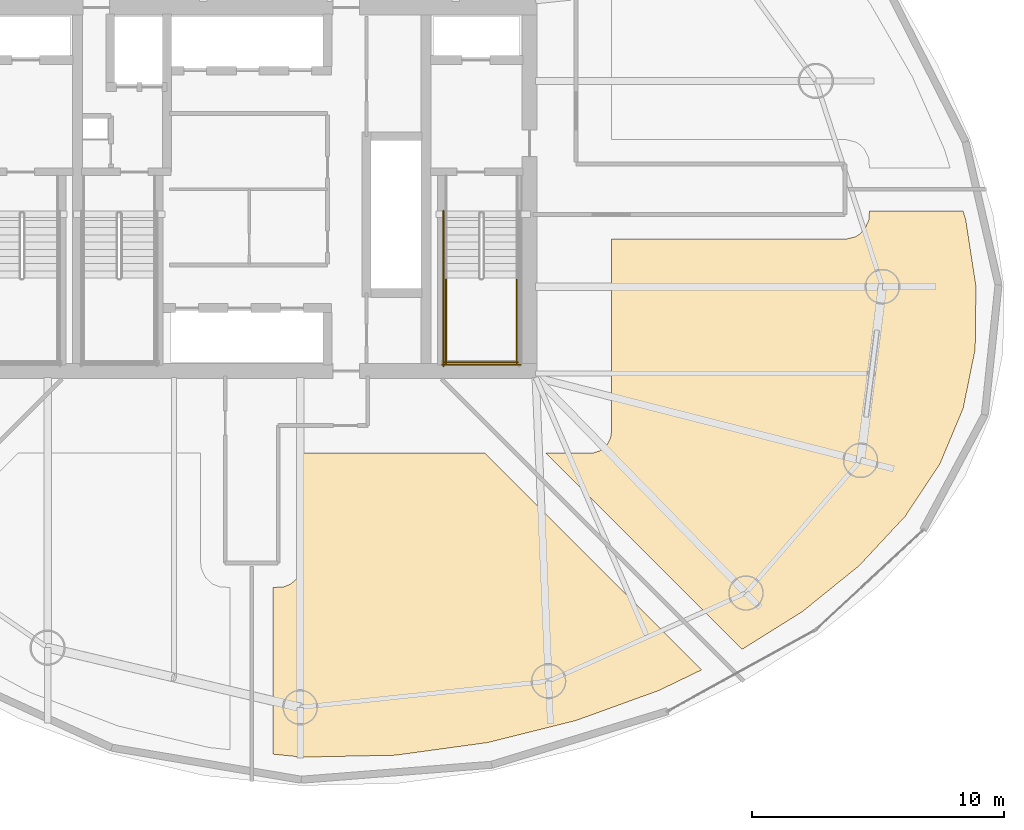
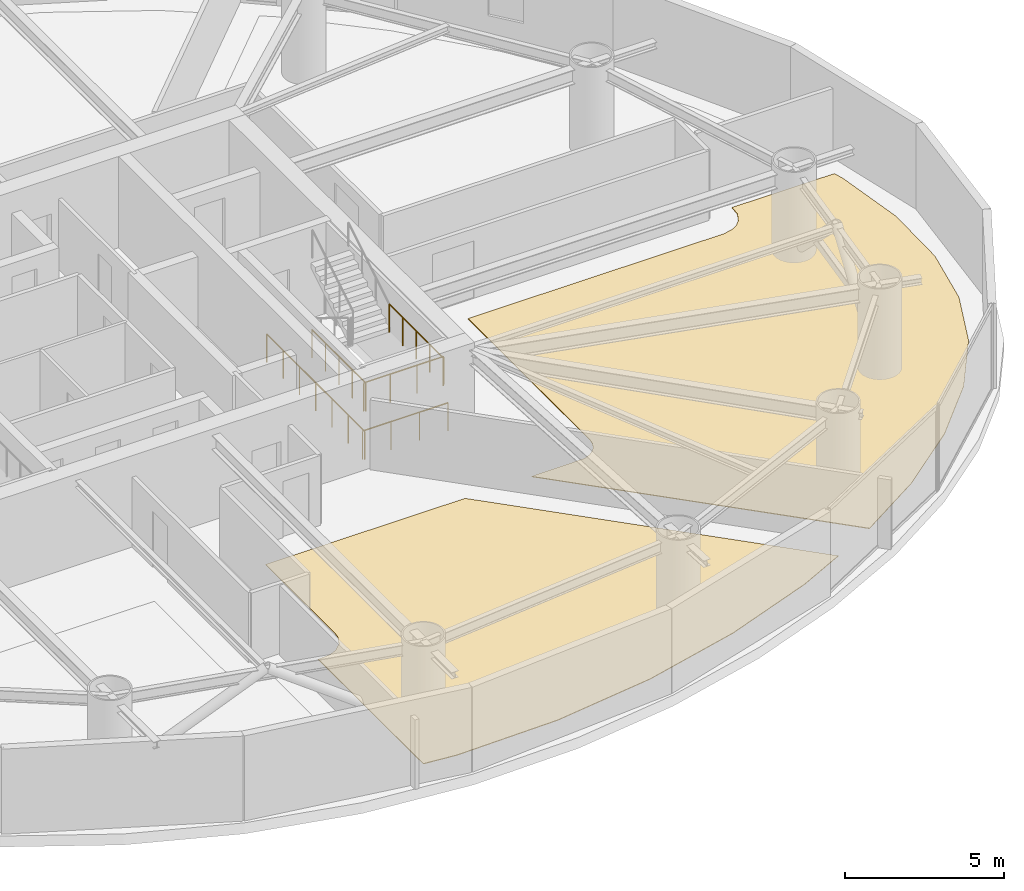
# One storey, part 19 of 21: 5 railings, 2 coverings.
"""IFC4 building model written with IfcOpenShell, lengths in metres."""

from ifc_helpers import new_model, si_unit, direction, frame, origin, origin_2d, place, context, subcontext, project, spatial, polyline, circle, outline, extrude, material, layer, layer_set, type_object, element, save


model = new_model("IFC4")

# Units and contexts
model_context = context("Model", 3, precision=1e-05, world=origin(), true_north=direction((0.0, 1.0)))
body_context = subcontext(model_context, "Body", "Model", "MODEL_VIEW")
ifc_project = project(units=[si_unit("LENGTHUNIT", "METRE"), si_unit("AREAUNIT", "SQUARE_METRE"), si_unit("VOLUMEUNIT", "CUBIC_METRE"), si_unit("PLANEANGLEUNIT", "RADIAN"), si_unit("MASSUNIT", "GRAM", prefix="KILO")], contexts=[model_context])

# Site, building, storey
site_placement = place(None, origin())
site = spatial("IfcSite", under=ifc_project, at=site_placement, CompositionType="ELEMENT")
building_placement = place(site_placement, origin())
building = spatial("IfcBuilding", under=site, at=building_placement, Name="Bramvorn Convention Spire", CompositionType="ELEMENT")
storey_placement = place(building_placement, frame((0.0, 0.0, 102.800048828125)))
storey = spatial("IfcBuildingStorey", under=building, at=storey_placement, Name="L24", CompositionType="ELEMENT", Elevation=102.800048828125)

# Coverings
ifc_material_1 = material(Name="Honed Dolomitic Limestone Terrazzo Flooring", Category="masonry")
ifc_layer = layer(ifc_material_1, 0.02490234375)
ifc_layer_set = layer_set([ifc_layer], Name="Honed Dolomitic Limestone Terrazzo Flooring - FLR-TERRAZZO-25")
covering_type = type_object("IfcCoveringType", Name="FLR-TERRAZZO-25", PredefinedType="FLOORING", material=ifc_layer_set)
covering_1_placement = place(storey_placement, origin())
element("IfcCovering", 1, at=covering_1_placement, inside=storey, type_object=covering_type, Name="L24 Sky-Lobby Seminar Suite 7 raised floor finish", PredefinedType="FLOORING", context=body_context, shape_type="SweptSolid", body=[
    extrude(outline(polyline([(54.135986328125, 6.15283203125), (55.82763671875, 6.97021484375), (47.247802734375, 15.550048828125), (40.02001953125, 15.550048828125), (40.02001953125, 11.199951171875), (39.9921875, 10.97021484375), (39.83251953125, 10.626953125), (39.5537109375, 10.37109375), (39.27978515625, 10.2578125), (38.85009765625, 10.22998046875), (38.85009765625, 3.628662109375), (40.00048828125, 3.510009765625), (43.699462890625, 3.5869140625), (47.339599609375, 4.086669921875), (50.843994140625, 4.960693359375), (54.135986328125, 6.15283203125)])), origin(), (0.0, 0.0, 1.0), 0.02490234375),
])
covering_2_placement = place(storey_placement, origin())
element("IfcCovering", 2, at=covering_2_placement, inside=storey, type_object=covering_type, Name="L24 Mid-Rise Reception & Transfer Lobby 8 raised floor finish", PredefinedType="FLOORING", context=body_context, shape_type="SweptSolid", body=[
    extrude(outline(polyline([(59.8037109375, 9.267578125), (62.064208984375, 11.093994140625), (63.889404296875, 13.05419921875), (65.26220703125, 15.132080078125), (66.1826171875, 17.329833984375), (66.65673828125, 19.6650390625), (66.689208984375, 22.155517578125), (66.281494140625, 24.802490234375), (66.176025390625, 25.14990234375), (62.469970703125, 25.14990234375), (62.439453125, 24.758544921875), (62.275390625, 24.41748046875), (62.08251953125, 24.224609375), (61.919921875, 24.125732421875), (61.553466796875, 24.031494140625), (52.25, 24.030029296875), (52.25, 16.39990234375), (52.21337890625, 16.1533203125), (52.106689453125, 15.927734375), (52.0009765625, 15.799072265625), (51.80078125, 15.650390625), (51.56591796875, 15.56640625), (49.652099609375, 15.550048828125), (57.422119140625, 7.77978515625), (59.8037109375, 9.267578125)])), origin(), (0.0, 0.0, 1.0), 0.02490234375),
])

# Railings
ifc_material_2 = material(Name="Painted Steel Balustrade & Guardrail", Category="steel")
railing_type = type_object("IfcRailingType", Name="RL-STAIR-GUARD-1100", PredefinedType="GUARDRAIL", material=ifc_material_2)
for number, where, name in (
    (3, (45.699951171875, 22.485107421875, 1.75), "L24 ST2 stair guard 3"),
    (4, (48.5, 22.485107421875, 1.75), "L24 ST2 stair guard 4"),
):
    element("IfcRailing", number, at=place(storey_placement, frame(where)), inside=storey, type_object=railing_type, Name=name, PredefinedType="GUARDRAIL", context=body_context, shape_type="SweptSolid", body=[
        extrude(circle(Radius=0.02392578125, at=origin_2d()), frame((0.0, 0.0, 1.076171875), z_axis=(0.0, -1.0, 0.0), x_axis=(1.0, 0.0, 0.0)), (0.0, 0.0, 1.0), 3.385009765625),
        extrude(circle(Radius=0.02099609375, at=origin_2d()), origin(), (0.0, 0.0, 1.0), 1.052001953125),
        extrude(circle(Radius=0.02099609375, at=origin_2d()), frame((0.0, -0.84619140625, 0.0)), (0.0, 0.0, 1.0), 1.052001953125),
        extrude(circle(Radius=0.02099609375, at=origin_2d()), frame((0.0, -1.6923828125, 0.0)), (0.0, 0.0, 1.0), 1.052001953125),
        extrude(circle(Radius=0.02099609375, at=origin_2d()), frame((0.0, -2.538818359375, 0.0)), (0.0, 0.0, 1.0), 1.052001953125),
        extrude(circle(Radius=0.02099609375, at=origin_2d()), frame((0.0, -3.385009765625, 0.0)), (0.0, 0.0, 1.0), 1.052001953125),
    ])
railing_1_placement = place(storey_placement, frame((45.64990234375, 19.14990234375, 1.75)))
element("IfcRailing", 5, at=railing_1_placement, inside=storey, type_object=railing_type, Name="L24 ST2 stair guard 5", PredefinedType="GUARDRAIL", context=body_context, shape_type="SweptSolid", body=[
    extrude(circle(Radius=0.02392578125, at=origin_2d()), frame((0.0, 0.0, 1.076171875), z_axis=(1.0, 0.0, 0.0), x_axis=(0.0, 1.0, 0.0)), (0.0, 0.0, 1.0), 2.900146484375),
    extrude(circle(Radius=0.02099609375, at=origin_2d()), origin(), (0.0, 0.0, 1.0), 1.052001953125),
    extrude(circle(Radius=0.02099609375, at=origin_2d()), frame((0.966796875, 0.0, 0.0)), (0.0, 0.0, 1.0), 1.052001953125),
    extrude(circle(Radius=0.02099609375, at=origin_2d()), frame((1.933349609375, 0.0, 0.0)), (0.0, 0.0, 1.0), 1.052001953125),
    extrude(circle(Radius=0.02099609375, at=origin_2d()), frame((2.900146484375, 0.0, 0.0)), (0.0, 0.0, 1.0), 1.052001953125),
])
railing_2_placement = place(storey_placement, frame((45.60009765625, 25.14990234375, 0.0)))
element("IfcRailing", 6, at=railing_2_placement, inside=storey, type_object=railing_type, Name="L24 ST2 stair guard 10", PredefinedType="GUARDRAIL", context=body_context, shape_type="SweptSolid", body=[
    extrude(circle(Radius=0.02392578125, at=origin_2d()), frame((0.0, 0.0, 1.076171875), z_axis=(0.0, -1.0, 0.0), x_axis=(1.0, 0.0, 0.0)), (0.0, 0.0, 1.0), 6.14990234375),
    extrude(circle(Radius=0.02099609375, at=origin_2d()), origin(), (0.0, 0.0, 1.0), 1.052001953125),
    extrude(circle(Radius=0.02099609375, at=origin_2d()), frame((0.0, -1.02490234375, 0.0)), (0.0, 0.0, 1.0), 1.052001953125),
    extrude(circle(Radius=0.02099609375, at=origin_2d()), frame((0.0, -2.050048828125, 0.0)), (0.0, 0.0, 1.0), 1.052001953125),
    extrude(circle(Radius=0.02099609375, at=origin_2d()), frame((0.0, -3.074951171875, 0.0)), (0.0, 0.0, 1.0), 1.052001953125),
    extrude(circle(Radius=0.02099609375, at=origin_2d()), frame((0.0, -4.099853515625, 0.0)), (0.0, 0.0, 1.0), 1.052001953125),
    extrude(circle(Radius=0.02099609375, at=origin_2d()), frame((0.0, -5.125, 0.0)), (0.0, 0.0, 1.0), 1.052001953125),
    extrude(circle(Radius=0.02099609375, at=origin_2d()), frame((0.0, -6.14990234375, 0.0)), (0.0, 0.0, 1.0), 1.052001953125),
])
railing_3_placement = place(storey_placement, frame((45.550048828125, 19.050048828125, 0.0)))
element("IfcRailing", 7, at=railing_3_placement, inside=storey, type_object=railing_type, Name="L24 ST2 stair guard 12", PredefinedType="GUARDRAIL", context=body_context, shape_type="SweptSolid", body=[
    extrude(circle(Radius=0.02392578125, at=origin_2d()), frame((0.0, 0.0, 1.076171875), z_axis=(1.0, 0.0, 0.0), x_axis=(0.0, 1.0, 0.0)), (0.0, 0.0, 1.0), 3.099853515625),
    extrude(circle(Radius=0.02099609375, at=origin_2d()), origin(), (0.0, 0.0, 1.0), 1.052001953125),
    extrude(circle(Radius=0.02099609375, at=origin_2d()), frame((1.033203125, 0.0, 0.0)), (0.0, 0.0, 1.0), 1.052001953125),
    extrude(circle(Radius=0.02099609375, at=origin_2d()), frame((2.066650390625, 0.0, 0.0)), (0.0, 0.0, 1.0), 1.052001953125),
    extrude(circle(Radius=0.02099609375, at=origin_2d()), frame((3.099853515625, 0.0, 0.0)), (0.0, 0.0, 1.0), 1.052001953125),
])

save(model, "model.ifc")
